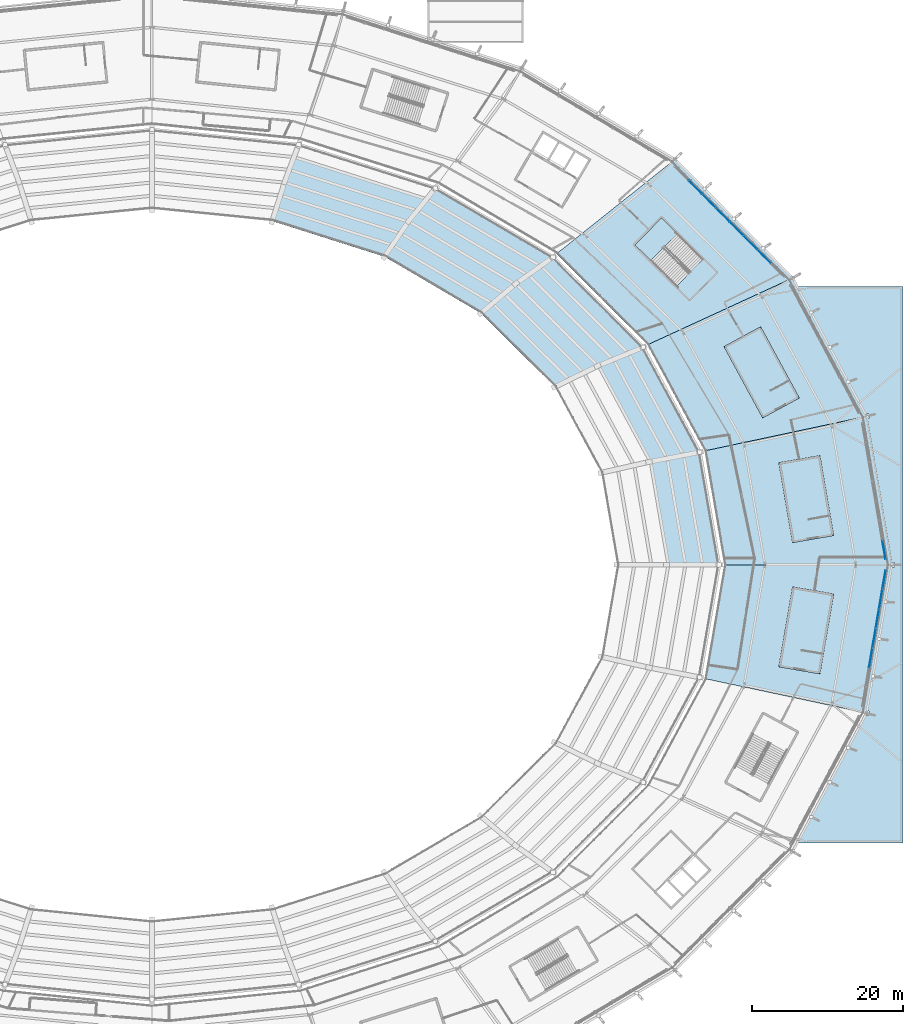
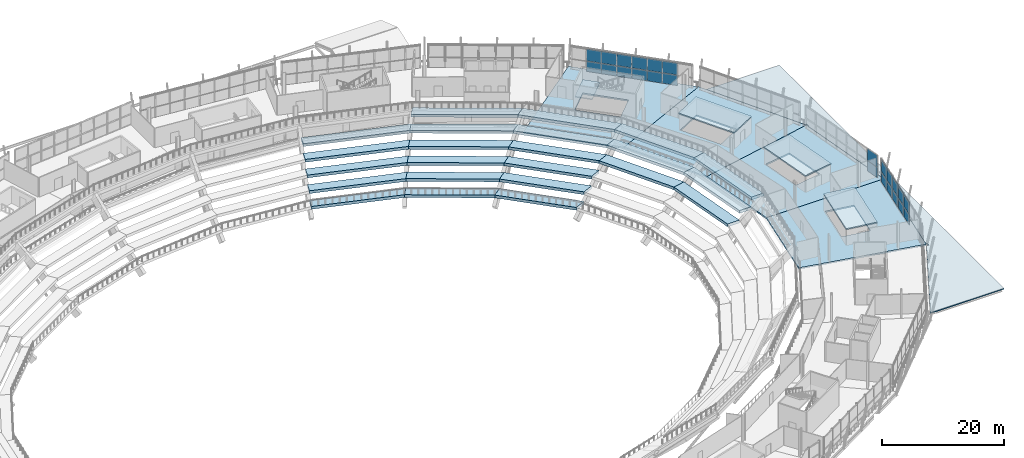
# One storey, part 68 of 126: 32 slabs, 24 plates, 5 elements without a shape of their own.
"""IFC4 building model written with IfcOpenShell, lengths in metres."""

from ifc_helpers import new_model, si_unit, direction, frame, origin, origin_2d, place, context, subcontext, project, spatial, polyline, rectangle, outline, extrude, material, layer, layer_set, type_object, element, aggregate, save


model = new_model("IFC4")

# Units and contexts
model_context = context("Model", 3, precision=1e-05, world=origin(), true_north=direction((0.0, 1.0)))
body_context = subcontext(model_context, "Body", "Model", "MODEL_VIEW")
ifc_project = project(units=[si_unit("LENGTHUNIT", "METRE"), si_unit("AREAUNIT", "SQUARE_METRE"), si_unit("VOLUMEUNIT", "CUBIC_METRE"), si_unit("PLANEANGLEUNIT", "RADIAN"), si_unit("MASSUNIT", "GRAM", prefix="KILO")], contexts=[model_context])

# Site, building, storey
site_placement = place(None, origin())
site = spatial("IfcSite", under=ifc_project, at=site_placement, CompositionType="ELEMENT")
building_placement = place(site_placement, origin())
building = spatial("IfcBuilding", under=site, at=building_placement, Name="Zlatoyarsky Gate Stadium", CompositionType="ELEMENT")
storey_placement = place(building_placement, frame((0.0, 0.0, 20.800048828125)))
storey = spatial("IfcBuildingStorey", under=building, at=storey_placement, Name="L04", CompositionType="ELEMENT", Elevation=20.800048828125)

# Curtain wall, plates
ifc_material_1 = material(Name="Thermally broken anodised aluminium curtain wall", Category="aluminium")
curtain_wall_type_1 = type_object("IfcCurtainWallType", Name="MONUMENTAL ARCHED GATE GLAZING LOWER", PredefinedType="USERDEFINED", material=ifc_material_1)
curtain_wall_1_placement = place(storey_placement, origin())
curtain_wall_1 = element("IfcCurtainWall", 1, at=curtain_wall_1_placement, inside=storey, type_object=curtain_wall_type_1, Name="Curtain wall CW-L04-00", ObjectType="ARCHED GATE GLAZING", PredefinedType="USERDEFINED")
ifc_material_2 = material(Name="Triple-glazed argon low-e architectural glass", Category="glass")
ifc_layer_1 = layer(ifc_material_2, 0.0458984375)
ifc_layer_set_1 = layer_set([ifc_layer_1], Name="Triple-glazed argon low-e architectural glass")
plate_type_1 = type_object("IfcPlateType", Name="ACOUSTIC LAMINATED GATE GLAZING PANEL 46", PredefinedType="CURTAIN_PANEL", material=ifc_layer_set_1)
plate_1_placement = place(storey_placement, frame((207.736572265625, 81.95556640625, 0.074951171875), z_axis=(0.0, 0.0, 1.0), x_axis=(-0.167821138782, 0.985817460475, 0.0)))
plate_1 = element("IfcPlate", 2, at=plate_1_placement, type_object=plate_type_1, Name="CW-AG1 panel 1.1", PredefinedType="CURTAIN_PANEL", context=body_context, shape_type="SweptSolid", body=[
    extrude(rectangle(XDim=2.517333984375, YDim=0.0458984375, at=origin_2d()), origin(), (0.0, 0.0, 1.0), 2.03759765625),
])
plate_2_placement = place(storey_placement, frame((207.736572265625, 81.95556640625, 2.1875), z_axis=(0.0, 0.0, 1.0), x_axis=(-0.167821138782, 0.985817460475, 0.0)))
plate_2 = element("IfcPlate", 3, at=plate_2_placement, type_object=plate_type_1, Name="CW-AG1 panel 1.2", PredefinedType="CURTAIN_PANEL", context=body_context, shape_type="SweptSolid", body=[
    extrude(rectangle(XDim=2.517333984375, YDim=0.0458984375, at=origin_2d()), origin(), (0.0, 0.0, 1.0), 2.357421875),
])
aggregate(curtain_wall_1, [plate_1, plate_2])

# Roof, slab
ifc_material_3 = material(Name="Standing-seam aluminium-zinc roofing with mineral wool insulation", Category="aluminium")
ifc_layer_2 = layer(ifc_material_3, 0.080078125)
ifc_layer_set_2 = layer_set([ifc_layer_2], Name="Standing-seam aluminium-zinc roofing with mineral wool insulation")
roof_type = type_object("IfcRoofType", Name="WINTER GARDEN PAVILION ROOF ASSEMBLY", PredefinedType="PAVILION_ROOF", material=ifc_layer_set_2)
roof_placement = place(storey_placement, origin())
roof = element("IfcRoof", 4, at=roof_placement, inside=storey, type_object=roof_type, Name="V5_EAST wing pavilion roof assembly", PredefinedType="PAVILION_ROOF")
ifc_material_4 = material(Name="Concrete C40/50", Category="concrete")
ifc_layer_3 = layer(ifc_material_4, 0.179931640625)
ifc_layer_set_3 = layer_set([ifc_layer_3], Name="Concrete C40/50")
slab_type_1 = type_object("IfcSlabType", Name="COMPOSITE PAVILION ROOF SLAB 180", PredefinedType="ROOF", material=ifc_layer_set_3)
slab_1_placement = place(storey_placement, frame((0.0, 0.0, -0.300048828125)))
slab_1 = element("IfcSlab", 5, at=slab_1_placement, type_object=slab_type_1, Name="V5_EAST composite wing roof slab 1", PredefinedType="ROOF", context=body_context, shape_type="SweptSolid", body=[
    extrude(outline(polyline([(210.239990234375, 116.739990234375), (210.239990234375, 43.260009765625), (196.328125, 43.260009765625), (205.3125, 60.0693359375), (205.75830078125, 60.0693359375), (205.75830078125, 60.70947265625), (205.533203125, 60.70947265625), (208.755859375, 79.679931640625), (209.089599609375, 79.679931640625), (209.089599609375, 80.320068359375), (208.755859375, 80.320068359375), (205.533203125, 99.29052734375), (205.75830078125, 99.29052734375), (205.75830078125, 99.9306640625), (205.3125, 99.9306640625), (196.328125, 116.739990234375), (210.239990234375, 116.739990234375)])), origin(), (0.0, 0.0, 1.0), 0.179931640625),
])
aggregate(roof, [slab_1])

# Slabs
ifc_layer_4 = layer(ifc_material_4, 0.300048828125)
ifc_layer_set_4 = layer_set([ifc_layer_4], Name="Concrete C40/50")
slab_type_2 = type_object("IfcSlabType", Name="CONCRETE CONCOURSE SLAB 300", PredefinedType="FLOOR", material=ifc_layer_set_4)
slab_2_placement = place(storey_placement, frame((0.0, 0.0, -0.300048828125)))
element("IfcSlab", 6, at=slab_2_placement, inside=storey, type_object=slab_type_2, Name="L04 bowl sector 00 slab", PredefinedType="FLOOR", context=body_context, shape_type="SweptSolid", body=[
    extrude(outline(polyline([(184.02392578125, 95.037353515625), (205.438232421875, 99.610595703125), (208.76953125, 80.0), (186.60009765625, 80.0), (184.02392578125, 95.037353515625)]), holes=[polyline([(200.37548828125, 86.485107421875), (199.058349609375, 94.122314453125), (194.131103515625, 93.272705078125), (195.447998046875, 85.635498046875), (200.37548828125, 86.485107421875)])]), origin(), (0.0, 0.0, 1.0), 0.300048828125),
])
slab_3_placement = place(storey_placement, frame((0.0, 0.0, -0.300048828125)))
element("IfcSlab", 7, at=slab_3_placement, inside=storey, type_object=slab_type_2, Name="L04 bowl sector 01 slab", PredefinedType="FLOOR", context=body_context, shape_type="SweptSolid", body=[
    extrude(outline(polyline([(176.471435546875, 109.050048828125), (195.6708984375, 117.884765625), (205.438232421875, 99.610595703125), (184.02392578125, 95.037353515625), (176.471435546875, 109.050048828125)]), holes=[polyline([(195.030517578125, 104.287353515625), (191.33447265625, 111.09912109375), (186.939697265625, 108.71484375), (190.635498046875, 101.90283203125), (195.030517578125, 104.287353515625)])]), origin(), (0.0, 0.0, 1.0), 0.300048828125),
])
slab_4_placement = place(storey_placement, frame((0.0, 0.0, -0.300048828125)))
element("IfcSlab", 8, at=slab_4_placement, inside=storey, type_object=slab_type_2, Name="L04 bowl sector 02 slab", PredefinedType="FLOOR", context=body_context, shape_type="SweptSolid", body=[
    extrude(outline(polyline([(164.457275390625, 121.0830078125), (180.133544921875, 133.5771484375), (195.6708984375, 117.884765625), (176.471435546875, 109.050048828125), (164.457275390625, 121.0830078125)]), holes=[polyline([(183.828125, 120.347412109375), (178.334228515625, 125.8134765625), (174.8076171875, 122.268798828125), (180.3017578125, 116.802734375), (183.828125, 120.347412109375)])]), origin(), (0.0, 0.0, 1.0), 0.300048828125),
])
slab_5_placement = place(storey_placement, frame((0.0, 0.0, -0.300048828125)))
element("IfcSlab", 9, at=slab_5_placement, inside=storey, type_object=slab_type_2, Name="L04 bowl sector 23 slab", PredefinedType="FLOOR", context=body_context, shape_type="SweptSolid", body=[
    extrude(outline(polyline([(186.60009765625, 80.0), (208.76953125, 80.0), (205.438232421875, 60.389404296875), (184.02392578125, 64.962646484375), (186.60009765625, 80.0)]), holes=[polyline([(199.474609375, 68.2919921875), (200.791748046875, 75.92919921875), (195.864501953125, 76.77880859375), (194.547607421875, 69.1416015625), (199.474609375, 68.2919921875)])]), origin(), (0.0, 0.0, 1.0), 0.300048828125),
])
ifc_layer_5 = layer(ifc_material_4, 0.239990234375)
ifc_layer_set_5 = layer_set([ifc_layer_5], Name="Concrete C40/50")
slab_type_3 = type_object("IfcSlabType", Name="CONCRETE CORE TOP CAP SLAB 240", PredefinedType="ROOF", material=ifc_layer_set_5)
slab_6_placement = place(storey_placement, frame((0.0, 0.0, 3.199951171875)))
element("IfcSlab", 10, at=slab_6_placement, inside=storey, type_object=slab_type_3, Name="ST-01 stair headhouse roof cap", PredefinedType="ROOF", context=body_context, shape_type="SweptSolid", body=[
    extrude(outline(polyline([(201.08056640625, 83.866943359375), (199.26220703125, 94.411376953125), (193.84228515625, 93.4765625), (195.66064453125, 82.932373046875), (201.08056640625, 83.866943359375)])), origin(), (0.0, 0.0, 1.0), 0.239990234375),
])
slab_7_placement = place(storey_placement, frame((0.0, 0.0, 3.199951171875)))
element("IfcSlab", 11, at=slab_7_placement, inside=storey, type_object=slab_type_3, Name="ST-13 stair headhouse roof cap", PredefinedType="ROOF", context=body_context, shape_type="SweptSolid", body=[
    extrude(outline(polyline([(196.537841796875, 102.033203125), (191.43505859375, 111.438232421875), (186.600830078125, 108.815185546875), (191.703369140625, 99.410400390625), (196.537841796875, 102.033203125)])), origin(), (0.0, 0.0, 1.0), 0.239990234375),
])
slab_8_placement = place(storey_placement, frame((0.0, 0.0, 3.199951171875)))
element("IfcSlab", 12, at=slab_8_placement, inside=storey, type_object=slab_type_3, Name="ST-20 stair headhouse roof cap", PredefinedType="ROOF", context=body_context, shape_type="SweptSolid", body=[
    extrude(outline(polyline([(199.26220703125, 65.5888671875), (201.08056640625, 76.133056640625), (195.66064453125, 77.06787109375), (193.84228515625, 66.5234375), (199.26220703125, 65.5888671875)])), origin(), (0.0, 0.0, 1.0), 0.239990234375),
])

# Stair, slab
stair_type = type_object("IfcStairType", Name="CONCRETE DOGLEG EXIT STAIR H5400", PredefinedType="TWO_STRAIGHT_RUN_STAIR", material=ifc_material_4)
stair_placement = place(storey_placement, origin())
stair = element("IfcStair", 13, at=stair_placement, inside=storey, type_object=stair_type, Name="L04 Exit Stair ST-02", PredefinedType="TWO_STRAIGHT_RUN_STAIR")
ifc_layer_6 = layer(ifc_material_4, 0.199951171875)
ifc_layer_set_6 = layer_set([ifc_layer_6], Name="Concrete C40/50")
slab_type_4 = type_object("IfcSlabType", Name="CONCRETE STAIR LANDING SLAB 200", PredefinedType="LANDING", material=ifc_layer_set_6)
slab_9_placement = place(storey_placement, frame((0.0, 0.0, 2.5)))
slab_9 = element("IfcSlab", 14, at=slab_9_placement, type_object=slab_type_4, Name="ST-DG54 landing 1", PredefinedType="LANDING", context=body_context, shape_type="SweptSolid", body=[
    extrude(outline(polyline([(180.425537109375, 123.732666015625), (178.334228515625, 125.8134765625), (174.8076171875, 122.26904296875), (176.89892578125, 120.188232421875), (180.425537109375, 123.732666015625)])), origin(), (0.0, 0.0, 1.0), 0.199951171875),
])
aggregate(stair, [slab_9])

# Slabs
ifc_material_5 = material(Name="Precast concrete C40/50", Category="concrete")
ifc_layer_7 = layer(ifc_material_5, 0.56005859375)
ifc_layer_set_7 = layer_set([ifc_layer_7], Name="Precast concrete C40/50")
slab_type_5 = type_object("IfcSlabType", Name="PRECAST UPPER SEATING TIER UNIT 560", PredefinedType="USERDEFINED", material=ifc_layer_set_7)
slab_10_placement = place(storey_placement, frame((0.0, 0.0, 0.739990234375)))
element("IfcSlab", 15, at=slab_10_placement, inside=storey, type_object=slab_type_5, Name="Upper seating tier sector 00 row 4", ObjectType="SEATING TIER", PredefinedType="USERDEFINED", context=body_context, shape_type="SweptSolid", body=[
    extrude(outline(polyline([(179.25, 80.0), (181.5, 80.0), (179.097900390625, 93.976318359375), (176.92431640625, 93.523193359375), (179.25, 80.0)])), origin(), (0.0, 0.0, 1.0), 0.56005859375),
])
slab_11_placement = place(storey_placement, frame((0.0, 0.0, 2.639892578125)))
element("IfcSlab", 16, at=slab_11_placement, inside=storey, type_object=slab_type_5, Name="Upper seating tier sector 00 row 5", ObjectType="SEATING TIER", PredefinedType="USERDEFINED", context=body_context, shape_type="SweptSolid", body=[
    extrude(outline(polyline([(181.5, 80.0), (183.75, 80.0), (181.27099609375, 94.42919921875), (179.097900390625, 93.976318359375), (181.5, 80.0)])), origin(), (0.0, 0.0, 1.0), 0.56005859375),
])
slab_12_placement = place(storey_placement, frame((0.0, 0.0, 4.5400390625)))
element("IfcSlab", 17, at=slab_12_placement, inside=storey, type_object=slab_type_5, Name="Upper seating tier sector 00 row 6", ObjectType="SEATING TIER", PredefinedType="USERDEFINED", context=body_context, shape_type="SweptSolid", body=[
    extrude(outline(polyline([(183.75, 80.0), (186.0, 80.0), (183.4443359375, 94.882080078125), (181.27099609375, 94.42919921875), (183.75, 80.0)])), origin(), (0.0, 0.0, 1.0), 0.559814453125),
])
slab_13_placement = place(storey_placement, frame((0.0, 0.0, 0.739990234375)))
element("IfcSlab", 18, at=slab_13_placement, inside=storey, type_object=slab_type_5, Name="Upper seating tier sector 01 row 4", ObjectType="SEATING TIER", PredefinedType="USERDEFINED", context=body_context, shape_type="SweptSolid", body=[
    extrude(outline(polyline([(176.92431640625, 93.523193359375), (179.097900390625, 93.976318359375), (172.0546875, 107.0), (170.106201171875, 106.125), (176.92431640625, 93.523193359375)])), origin(), (0.0, 0.0, 1.0), 0.56005859375),
])
slab_14_placement = place(storey_placement, frame((0.0, 0.0, 2.639892578125)))
element("IfcSlab", 19, at=slab_14_placement, inside=storey, type_object=slab_type_5, Name="Upper seating tier sector 01 row 5", ObjectType="SEATING TIER", PredefinedType="USERDEFINED", context=body_context, shape_type="SweptSolid", body=[
    extrude(outline(polyline([(179.097900390625, 93.976318359375), (181.27099609375, 94.42919921875), (174.00341796875, 107.875), (172.0546875, 107.0), (179.097900390625, 93.976318359375)])), origin(), (0.0, 0.0, 1.0), 0.56005859375),
])
slab_15_placement = place(storey_placement, frame((0.0, 0.0, 4.5400390625)))
element("IfcSlab", 20, at=slab_15_placement, inside=storey, type_object=slab_type_5, Name="Upper seating tier sector 01 row 6", ObjectType="SEATING TIER", PredefinedType="USERDEFINED", context=body_context, shape_type="SweptSolid", body=[
    extrude(outline(polyline([(181.27099609375, 94.42919921875), (183.4443359375, 94.882080078125), (175.951904296875, 108.75), (174.00341796875, 107.875), (181.27099609375, 94.42919921875)])), origin(), (0.0, 0.0, 1.0), 0.559814453125),
])
slab_16_placement = place(storey_placement, frame((0.0, 0.0, -4.9599609375)))
element("IfcSlab", 21, at=slab_16_placement, inside=storey, type_object=slab_type_5, Name="Upper seating tier sector 02 row 1", ObjectType="SEATING TIER", PredefinedType="USERDEFINED", context=body_context, shape_type="SweptSolid", body=[
    extrude(outline(polyline([(164.260498046875, 103.5), (166.208984375, 104.375), (156.078125, 114.471435546875), (154.487060546875, 113.23388671875), (164.260498046875, 103.5)])), origin(), (0.0, 0.0, 1.0), 0.559814453125),
])
slab_17_placement = place(storey_placement, frame((0.0, 0.0, -3.06005859375)))
element("IfcSlab", 22, at=slab_17_placement, inside=storey, type_object=slab_type_5, Name="Upper seating tier sector 02 row 2", ObjectType="SEATING TIER", PredefinedType="USERDEFINED", context=body_context, shape_type="SweptSolid", body=[
    extrude(outline(polyline([(166.208984375, 104.375), (168.15771484375, 105.25), (157.6689453125, 115.708984375), (156.078125, 114.471435546875), (166.208984375, 104.375)])), origin(), (0.0, 0.0, 1.0), 0.56005859375),
])
slab_18_placement = place(storey_placement, frame((0.0, 0.0, -1.16015625)))
element("IfcSlab", 23, at=slab_18_placement, inside=storey, type_object=slab_type_5, Name="Upper seating tier sector 02 row 3", ObjectType="SEATING TIER", PredefinedType="USERDEFINED", context=body_context, shape_type="SweptSolid", body=[
    extrude(outline(polyline([(168.15771484375, 105.25), (170.106201171875, 106.125), (159.260009765625, 116.9462890625), (157.6689453125, 115.708984375), (168.15771484375, 105.25)])), origin(), (0.0, 0.0, 1.0), 0.56005859375),
])
slab_19_placement = place(storey_placement, frame((0.0, 0.0, 0.739990234375)))
element("IfcSlab", 24, at=slab_19_placement, inside=storey, type_object=slab_type_5, Name="Upper seating tier sector 02 row 4", ObjectType="SEATING TIER", PredefinedType="USERDEFINED", context=body_context, shape_type="SweptSolid", body=[
    extrude(outline(polyline([(170.106201171875, 106.125), (172.0546875, 107.0), (160.85107421875, 118.183837890625), (159.260009765625, 116.9462890625), (170.106201171875, 106.125)])), origin(), (0.0, 0.0, 1.0), 0.56005859375),
])
slab_20_placement = place(storey_placement, frame((0.0, 0.0, 2.639892578125)))
element("IfcSlab", 25, at=slab_20_placement, inside=storey, type_object=slab_type_5, Name="Upper seating tier sector 02 row 5", ObjectType="SEATING TIER", PredefinedType="USERDEFINED", context=body_context, shape_type="SweptSolid", body=[
    extrude(outline(polyline([(172.0546875, 107.0), (174.00341796875, 107.875), (162.44189453125, 119.421142578125), (160.85107421875, 118.183837890625), (172.0546875, 107.0)])), origin(), (0.0, 0.0, 1.0), 0.56005859375),
])
slab_21_placement = place(storey_placement, frame((0.0, 0.0, 4.5400390625)))
element("IfcSlab", 26, at=slab_21_placement, inside=storey, type_object=slab_type_5, Name="Upper seating tier sector 02 row 6", ObjectType="SEATING TIER", PredefinedType="USERDEFINED", context=body_context, shape_type="SweptSolid", body=[
    extrude(outline(polyline([(174.00341796875, 107.875), (175.951904296875, 108.75), (164.032958984375, 120.65869140625), (162.44189453125, 119.421142578125), (174.00341796875, 107.875)])), origin(), (0.0, 0.0, 1.0), 0.559814453125),
])
slab_22_placement = place(storey_placement, frame((0.0, 0.0, -4.9599609375)))
element("IfcSlab", 27, at=slab_22_placement, inside=storey, type_object=slab_type_5, Name="Upper seating tier sector 03 row 1", ObjectType="SEATING TIER", PredefinedType="USERDEFINED", context=body_context, shape_type="SweptSolid", body=[
    extrude(outline(polyline([(154.487060546875, 113.23388671875), (156.078125, 114.471435546875), (142.875, 122.21875), (141.75, 120.703125), (154.487060546875, 113.23388671875)])), origin(), (0.0, 0.0, 1.0), 0.559814453125),
])
slab_23_placement = place(storey_placement, frame((0.0, 0.0, -3.06005859375)))
element("IfcSlab", 28, at=slab_23_placement, inside=storey, type_object=slab_type_5, Name="Upper seating tier sector 03 row 2", ObjectType="SEATING TIER", PredefinedType="USERDEFINED", context=body_context, shape_type="SweptSolid", body=[
    extrude(outline(polyline([(156.078125, 114.471435546875), (157.6689453125, 115.708984375), (144.0, 123.734375), (142.875, 122.21875), (156.078125, 114.471435546875)])), origin(), (0.0, 0.0, 1.0), 0.56005859375),
])
slab_24_placement = place(storey_placement, frame((0.0, 0.0, -1.16015625)))
element("IfcSlab", 29, at=slab_24_placement, inside=storey, type_object=slab_type_5, Name="Upper seating tier sector 03 row 3", ObjectType="SEATING TIER", PredefinedType="USERDEFINED", context=body_context, shape_type="SweptSolid", body=[
    extrude(outline(polyline([(157.6689453125, 115.708984375), (159.260009765625, 116.9462890625), (145.125, 125.249755859375), (144.0, 123.734375), (157.6689453125, 115.708984375)])), origin(), (0.0, 0.0, 1.0), 0.56005859375),
])
slab_25_placement = place(storey_placement, frame((0.0, 0.0, 0.739990234375)))
element("IfcSlab", 30, at=slab_25_placement, inside=storey, type_object=slab_type_5, Name="Upper seating tier sector 03 row 4", ObjectType="SEATING TIER", PredefinedType="USERDEFINED", context=body_context, shape_type="SweptSolid", body=[
    extrude(outline(polyline([(159.260009765625, 116.9462890625), (160.85107421875, 118.183837890625), (146.25, 126.765380859375), (145.125, 125.249755859375), (159.260009765625, 116.9462890625)])), origin(), (0.0, 0.0, 1.0), 0.56005859375),
])
slab_26_placement = place(storey_placement, frame((0.0, 0.0, 2.639892578125)))
element("IfcSlab", 31, at=slab_26_placement, inside=storey, type_object=slab_type_5, Name="Upper seating tier sector 03 row 5", ObjectType="SEATING TIER", PredefinedType="USERDEFINED", context=body_context, shape_type="SweptSolid", body=[
    extrude(outline(polyline([(160.85107421875, 118.183837890625), (162.44189453125, 119.421142578125), (147.375, 128.281005859375), (146.25, 126.765380859375), (160.85107421875, 118.183837890625)])), origin(), (0.0, 0.0, 1.0), 0.56005859375),
])
slab_27_placement = place(storey_placement, frame((0.0, 0.0, 4.5400390625)))
element("IfcSlab", 32, at=slab_27_placement, inside=storey, type_object=slab_type_5, Name="Upper seating tier sector 03 row 6", ObjectType="SEATING TIER", PredefinedType="USERDEFINED", context=body_context, shape_type="SweptSolid", body=[
    extrude(outline(polyline([(162.44189453125, 119.421142578125), (164.032958984375, 120.65869140625), (148.5, 129.79638671875), (147.375, 128.281005859375), (162.44189453125, 119.421142578125)])), origin(), (0.0, 0.0, 1.0), 0.559814453125),
])
slab_28_placement = place(storey_placement, frame((0.0, 0.0, -4.9599609375)))
element("IfcSlab", 33, at=slab_28_placement, inside=storey, type_object=slab_type_5, Name="Upper seating tier sector 04 row 1", ObjectType="SEATING TIER", PredefinedType="USERDEFINED", context=body_context, shape_type="SweptSolid", body=[
    extrude(outline(polyline([(141.75, 120.703125), (142.875, 122.21875), (127.499755859375, 127.0888671875), (126.91748046875, 125.3984375), (141.75, 120.703125)])), origin(), (0.0, 0.0, 1.0), 0.559814453125),
])
slab_29_placement = place(storey_placement, frame((0.0, 0.0, -3.06005859375)))
element("IfcSlab", 34, at=slab_29_placement, inside=storey, type_object=slab_type_5, Name="Upper seating tier sector 04 row 2", ObjectType="SEATING TIER", PredefinedType="USERDEFINED", context=body_context, shape_type="SweptSolid", body=[
    extrude(outline(polyline([(142.875, 122.21875), (144.0, 123.734375), (128.08203125, 128.779296875), (127.499755859375, 127.0888671875), (142.875, 122.21875)])), origin(), (0.0, 0.0, 1.0), 0.56005859375),
])
slab_30_placement = place(storey_placement, frame((0.0, 0.0, -1.16015625)))
element("IfcSlab", 35, at=slab_30_placement, inside=storey, type_object=slab_type_5, Name="Upper seating tier sector 04 row 3", ObjectType="SEATING TIER", PredefinedType="USERDEFINED", context=body_context, shape_type="SweptSolid", body=[
    extrude(outline(polyline([(144.0, 123.734375), (145.125, 125.249755859375), (128.664306640625, 130.469482421875), (128.08203125, 128.779296875), (144.0, 123.734375)])), origin(), (0.0, 0.0, 1.0), 0.56005859375),
])
slab_31_placement = place(storey_placement, frame((0.0, 0.0, 0.739990234375)))
element("IfcSlab", 36, at=slab_31_placement, inside=storey, type_object=slab_type_5, Name="Upper seating tier sector 04 row 4", ObjectType="SEATING TIER", PredefinedType="USERDEFINED", context=body_context, shape_type="SweptSolid", body=[
    extrude(outline(polyline([(145.125, 125.249755859375), (146.25, 126.765380859375), (129.24658203125, 132.159912109375), (128.664306640625, 130.469482421875), (145.125, 125.249755859375)])), origin(), (0.0, 0.0, 1.0), 0.56005859375),
])
slab_32_placement = place(storey_placement, frame((0.0, 0.0, 2.639892578125)))
element("IfcSlab", 37, at=slab_32_placement, inside=storey, type_object=slab_type_5, Name="Upper seating tier sector 04 row 5", ObjectType="SEATING TIER", PredefinedType="USERDEFINED", context=body_context, shape_type="SweptSolid", body=[
    extrude(outline(polyline([(146.25, 126.765380859375), (147.375, 128.281005859375), (129.8291015625, 133.850341796875), (129.24658203125, 132.159912109375), (146.25, 126.765380859375)])), origin(), (0.0, 0.0, 1.0), 0.56005859375),
])

# Curtain wall, plates
curtain_wall_type_2 = type_object("IfcCurtainWallType", Name="UNITISED MEDIA RING GLAZING L04", PredefinedType="USERDEFINED", material=ifc_material_1)
curtain_wall_2_placement = place(storey_placement, origin())
curtain_wall_2 = element("IfcCurtainWall", 38, at=curtain_wall_2_placement, inside=storey, type_object=curtain_wall_type_2, Name="Curtain wall CW-L04-02", ObjectType="UNITISED GLAZING", PredefinedType="USERDEFINED")
ifc_layer_8 = layer(ifc_material_2, 0.0380859375)
ifc_layer_set_8 = layer_set([ifc_layer_8], Name="Triple-glazed argon low-e architectural glass")
plate_type_2 = type_object("IfcPlateType", Name="TRIPLE GLAZED LOW E CURTAIN PANEL 38", PredefinedType="CURTAIN_PANEL", material=ifc_layer_set_8)
plate_3_placement = place(storey_placement, frame((191.88623046875, 120.73828125, 0.06494140625), z_axis=(0.0, 0.0, 1.0), x_axis=(-0.704332181269, 0.709870536386, 0.0)))
plate_3 = element("IfcPlate", 39, at=plate_3_placement, type_object=plate_type_2, Name="CW-UG4 panel 2.1", PredefinedType="CURTAIN_PANEL", context=body_context, shape_type="SweptSolid", body=[
    extrude(rectangle(XDim=2.51025390625, YDim=0.0380859375, at=origin_2d()), origin(), (0.0, 0.0, 1.0), 2.052490234375),
])
plate_4_placement = place(storey_placement, frame((191.88623046875, 120.73828125, 2.182373046875), z_axis=(0.0, 0.0, 1.0), x_axis=(-0.704332181269, 0.709870536386, 0.0)))
plate_4 = element("IfcPlate", 40, at=plate_4_placement, type_object=plate_type_2, Name="CW-UG4 panel 2.2", PredefinedType="CURTAIN_PANEL", context=body_context, shape_type="SweptSolid", body=[
    extrude(rectangle(XDim=2.51025390625, YDim=0.0380859375, at=origin_2d()), origin(), (0.0, 0.0, 1.0), 2.37255859375),
])
plate_5_placement = place(storey_placement, frame((190.072265625, 122.56640625, 0.06494140625), z_axis=(0.0, 0.0, 1.0), x_axis=(-0.704332181269, 0.709870536386, 0.0)))
plate_5 = element("IfcPlate", 41, at=plate_5_placement, type_object=plate_type_2, Name="CW-UG4 panel 3.1", PredefinedType="CURTAIN_PANEL", context=body_context, shape_type="SweptSolid", body=[
    extrude(rectangle(XDim=2.51025390625, YDim=0.0380859375, at=origin_2d()), origin(), (0.0, 0.0, 1.0), 2.052490234375),
])
plate_6_placement = place(storey_placement, frame((190.072265625, 122.56640625, 2.182373046875), z_axis=(0.0, 0.0, 1.0), x_axis=(-0.704332181269, 0.709870536386, 0.0)))
plate_6 = element("IfcPlate", 42, at=plate_6_placement, type_object=plate_type_2, Name="CW-UG4 panel 3.2", PredefinedType="CURTAIN_PANEL", context=body_context, shape_type="SweptSolid", body=[
    extrude(rectangle(XDim=2.51025390625, YDim=0.0380859375, at=origin_2d()), origin(), (0.0, 0.0, 1.0), 2.37255859375),
])
plate_7_placement = place(storey_placement, frame((188.258544921875, 124.39453125, 0.06494140625), z_axis=(0.0, 0.0, 1.0), x_axis=(-0.704332181269, 0.709870536386, 0.0)))
plate_7 = element("IfcPlate", 43, at=plate_7_placement, type_object=plate_type_2, Name="CW-UG4 panel 4.1", PredefinedType="CURTAIN_PANEL", context=body_context, shape_type="SweptSolid", body=[
    extrude(rectangle(XDim=2.51025390625, YDim=0.0380859375, at=origin_2d()), origin(), (0.0, 0.0, 1.0), 2.052490234375),
])
plate_8_placement = place(storey_placement, frame((188.258544921875, 124.39453125, 2.182373046875), z_axis=(0.0, 0.0, 1.0), x_axis=(-0.704332181269, 0.709870536386, 0.0)))
plate_8 = element("IfcPlate", 44, at=plate_8_placement, type_object=plate_type_2, Name="CW-UG4 panel 4.2", PredefinedType="CURTAIN_PANEL", context=body_context, shape_type="SweptSolid", body=[
    extrude(rectangle(XDim=2.51025390625, YDim=0.0380859375, at=origin_2d()), origin(), (0.0, 0.0, 1.0), 2.37255859375),
])
plate_9_placement = place(storey_placement, frame((186.44482421875, 126.22265625, 0.06494140625), z_axis=(0.0, 0.0, 1.0), x_axis=(-0.704332181269, 0.709870536386, 0.0)))
plate_9 = element("IfcPlate", 45, at=plate_9_placement, type_object=plate_type_2, Name="CW-UG4 panel 5.1", PredefinedType="CURTAIN_PANEL", context=body_context, shape_type="SweptSolid", body=[
    extrude(rectangle(XDim=2.51025390625, YDim=0.0380859375, at=origin_2d()), origin(), (0.0, 0.0, 1.0), 2.052490234375),
])
plate_10_placement = place(storey_placement, frame((186.44482421875, 126.22265625, 2.182373046875), z_axis=(0.0, 0.0, 1.0), x_axis=(-0.704332181269, 0.709870536386, 0.0)))
plate_10 = element("IfcPlate", 46, at=plate_10_placement, type_object=plate_type_2, Name="CW-UG4 panel 5.2", PredefinedType="CURTAIN_PANEL", context=body_context, shape_type="SweptSolid", body=[
    extrude(rectangle(XDim=2.51025390625, YDim=0.0380859375, at=origin_2d()), origin(), (0.0, 0.0, 1.0), 2.37255859375),
])
plate_11_placement = place(storey_placement, frame((184.630859375, 128.050537109375, 0.06494140625), z_axis=(0.0, 0.0, 1.0), x_axis=(-0.704332181269, 0.709870536386, 0.0)))
plate_11 = element("IfcPlate", 47, at=plate_11_placement, type_object=plate_type_2, Name="CW-UG4 panel 6.1", PredefinedType="CURTAIN_PANEL", context=body_context, shape_type="SweptSolid", body=[
    extrude(rectangle(XDim=2.51025390625, YDim=0.0380859375, at=origin_2d()), origin(), (0.0, 0.0, 1.0), 2.052490234375),
])
plate_12_placement = place(storey_placement, frame((184.630859375, 128.050537109375, 2.182373046875), z_axis=(0.0, 0.0, 1.0), x_axis=(-0.704332181269, 0.709870536386, 0.0)))
plate_12 = element("IfcPlate", 48, at=plate_12_placement, type_object=plate_type_2, Name="CW-UG4 panel 6.2", PredefinedType="CURTAIN_PANEL", context=body_context, shape_type="SweptSolid", body=[
    extrude(rectangle(XDim=2.51025390625, YDim=0.0380859375, at=origin_2d()), origin(), (0.0, 0.0, 1.0), 2.37255859375),
])
plate_13_placement = place(storey_placement, frame((182.817138671875, 129.878662109375, 0.06494140625), z_axis=(0.0, 0.0, 1.0), x_axis=(-0.704332181269, 0.709870536386, 0.0)))
plate_13 = element("IfcPlate", 49, at=plate_13_placement, type_object=plate_type_2, Name="CW-UG4 panel 7.1", PredefinedType="CURTAIN_PANEL", context=body_context, shape_type="SweptSolid", body=[
    extrude(rectangle(XDim=2.51025390625, YDim=0.0380859375, at=origin_2d()), origin(), (0.0, 0.0, 1.0), 2.052490234375),
])
plate_14_placement = place(storey_placement, frame((182.817138671875, 129.878662109375, 2.182373046875), z_axis=(0.0, 0.0, 1.0), x_axis=(-0.704332181269, 0.709870536386, 0.0)))
plate_14 = element("IfcPlate", 50, at=plate_14_placement, type_object=plate_type_2, Name="CW-UG4 panel 7.2", PredefinedType="CURTAIN_PANEL", context=body_context, shape_type="SweptSolid", body=[
    extrude(rectangle(XDim=2.51025390625, YDim=0.0380859375, at=origin_2d()), origin(), (0.0, 0.0, 1.0), 2.37255859375),
])
aggregate(curtain_wall_2, [plate_3, plate_4, plate_5, plate_6, plate_7, plate_8, plate_9, plate_10, plate_11, plate_12, plate_13, plate_14])

curtain_wall_3_placement = place(storey_placement, origin())
curtain_wall_3 = element("IfcCurtainWall", 51, at=curtain_wall_3_placement, inside=storey, type_object=curtain_wall_type_2, Name="Curtain wall CW-L04-23", ObjectType="UNITISED GLAZING", PredefinedType="USERDEFINED")
plate_15_placement = place(storey_placement, frame((205.974365234375, 67.69287109375, 0.06494140625), z_axis=(0.0, 0.0, 1.0), x_axis=(0.167821138782, 0.985817460475, 0.0)))
plate_15 = element("IfcPlate", 52, at=plate_15_placement, type_object=plate_type_2, Name="CW-UG4 panel 3.1", PredefinedType="CURTAIN_PANEL", context=body_context, shape_type="SweptSolid", body=[
    extrude(rectangle(XDim=2.56494140625, YDim=0.0380859375, at=origin_2d()), origin(), (0.0, 0.0, 1.0), 2.052490234375),
])
plate_16_placement = place(storey_placement, frame((205.974365234375, 67.69287109375, 2.182373046875), z_axis=(0.0, 0.0, 1.0), x_axis=(0.167821138782, 0.985817460475, 0.0)))
plate_16 = element("IfcPlate", 53, at=plate_16_placement, type_object=plate_type_2, Name="CW-UG4 panel 3.2", PredefinedType="CURTAIN_PANEL", context=body_context, shape_type="SweptSolid", body=[
    extrude(rectangle(XDim=2.56494140625, YDim=0.0380859375, at=origin_2d()), origin(), (0.0, 0.0, 1.0), 2.37255859375),
])
plate_17_placement = place(storey_placement, frame((206.415771484375, 70.285400390625, 0.06494140625), z_axis=(0.0, 0.0, 1.0), x_axis=(0.167821138782, 0.985817460475, 0.0)))
plate_17 = element("IfcPlate", 54, at=plate_17_placement, type_object=plate_type_2, Name="CW-UG4 panel 4.1", PredefinedType="CURTAIN_PANEL", context=body_context, shape_type="SweptSolid", body=[
    extrude(rectangle(XDim=2.56494140625, YDim=0.0380859375, at=origin_2d()), origin(), (0.0, 0.0, 1.0), 2.052490234375),
])
plate_18_placement = place(storey_placement, frame((206.415771484375, 70.285400390625, 2.182373046875), z_axis=(0.0, 0.0, 1.0), x_axis=(0.167821138782, 0.985817460475, 0.0)))
plate_18 = element("IfcPlate", 55, at=plate_18_placement, type_object=plate_type_2, Name="CW-UG4 panel 4.2", PredefinedType="CURTAIN_PANEL", context=body_context, shape_type="SweptSolid", body=[
    extrude(rectangle(XDim=2.56494140625, YDim=0.0380859375, at=origin_2d()), origin(), (0.0, 0.0, 1.0), 2.37255859375),
])
plate_19_placement = place(storey_placement, frame((206.857177734375, 72.8779296875, 0.06494140625), z_axis=(0.0, 0.0, 1.0), x_axis=(0.167821138782, 0.985817460475, 0.0)))
plate_19 = element("IfcPlate", 56, at=plate_19_placement, type_object=plate_type_2, Name="CW-UG4 panel 5.1", PredefinedType="CURTAIN_PANEL", context=body_context, shape_type="SweptSolid", body=[
    extrude(rectangle(XDim=2.56494140625, YDim=0.0380859375, at=origin_2d()), origin(), (0.0, 0.0, 1.0), 2.052490234375),
])
plate_20_placement = place(storey_placement, frame((206.857177734375, 72.8779296875, 2.182373046875), z_axis=(0.0, 0.0, 1.0), x_axis=(0.167821138782, 0.985817460475, 0.0)))
plate_20 = element("IfcPlate", 57, at=plate_20_placement, type_object=plate_type_2, Name="CW-UG4 panel 5.2", PredefinedType="CURTAIN_PANEL", context=body_context, shape_type="SweptSolid", body=[
    extrude(rectangle(XDim=2.56494140625, YDim=0.0380859375, at=origin_2d()), origin(), (0.0, 0.0, 1.0), 2.37255859375),
])
plate_21_placement = place(storey_placement, frame((207.298583984375, 75.470458984375, 0.06494140625), z_axis=(0.0, 0.0, 1.0), x_axis=(0.167821138782, 0.985817460475, 0.0)))
plate_21 = element("IfcPlate", 58, at=plate_21_placement, type_object=plate_type_2, Name="CW-UG4 panel 6.1", PredefinedType="CURTAIN_PANEL", context=body_context, shape_type="SweptSolid", body=[
    extrude(rectangle(XDim=2.56494140625, YDim=0.0380859375, at=origin_2d()), origin(), (0.0, 0.0, 1.0), 2.052490234375),
])
plate_22_placement = place(storey_placement, frame((207.298583984375, 75.470458984375, 2.182373046875), z_axis=(0.0, 0.0, 1.0), x_axis=(0.167821138782, 0.985817460475, 0.0)))
plate_22 = element("IfcPlate", 59, at=plate_22_placement, type_object=plate_type_2, Name="CW-UG4 panel 6.2", PredefinedType="CURTAIN_PANEL", context=body_context, shape_type="SweptSolid", body=[
    extrude(rectangle(XDim=2.56494140625, YDim=0.0380859375, at=origin_2d()), origin(), (0.0, 0.0, 1.0), 2.37255859375),
])
plate_23_placement = place(storey_placement, frame((207.737060546875, 78.046875, 0.06494140625), z_axis=(0.0, 0.0, 1.0), x_axis=(0.167821138782, 0.985817460475, 0.0)))
plate_23 = element("IfcPlate", 60, at=plate_23_placement, type_object=plate_type_2, Name="CW-UG4 panel 7.1", PredefinedType="CURTAIN_PANEL", context=body_context, shape_type="SweptSolid", body=[
    extrude(rectangle(XDim=2.5322265625, YDim=0.0380859375, at=origin_2d()), origin(), (0.0, 0.0, 1.0), 2.052490234375),
])
plate_24_placement = place(storey_placement, frame((207.737060546875, 78.046875, 2.182373046875), z_axis=(0.0, 0.0, 1.0), x_axis=(0.167821138782, 0.985817460475, 0.0)))
plate_24 = element("IfcPlate", 61, at=plate_24_placement, type_object=plate_type_2, Name="CW-UG4 panel 7.2", PredefinedType="CURTAIN_PANEL", context=body_context, shape_type="SweptSolid", body=[
    extrude(rectangle(XDim=2.5322265625, YDim=0.0380859375, at=origin_2d()), origin(), (0.0, 0.0, 1.0), 2.37255859375),
])
aggregate(curtain_wall_3, [plate_15, plate_16, plate_17, plate_18, plate_19, plate_20, plate_21, plate_22, plate_23, plate_24])

save(model, "model.ifc")
